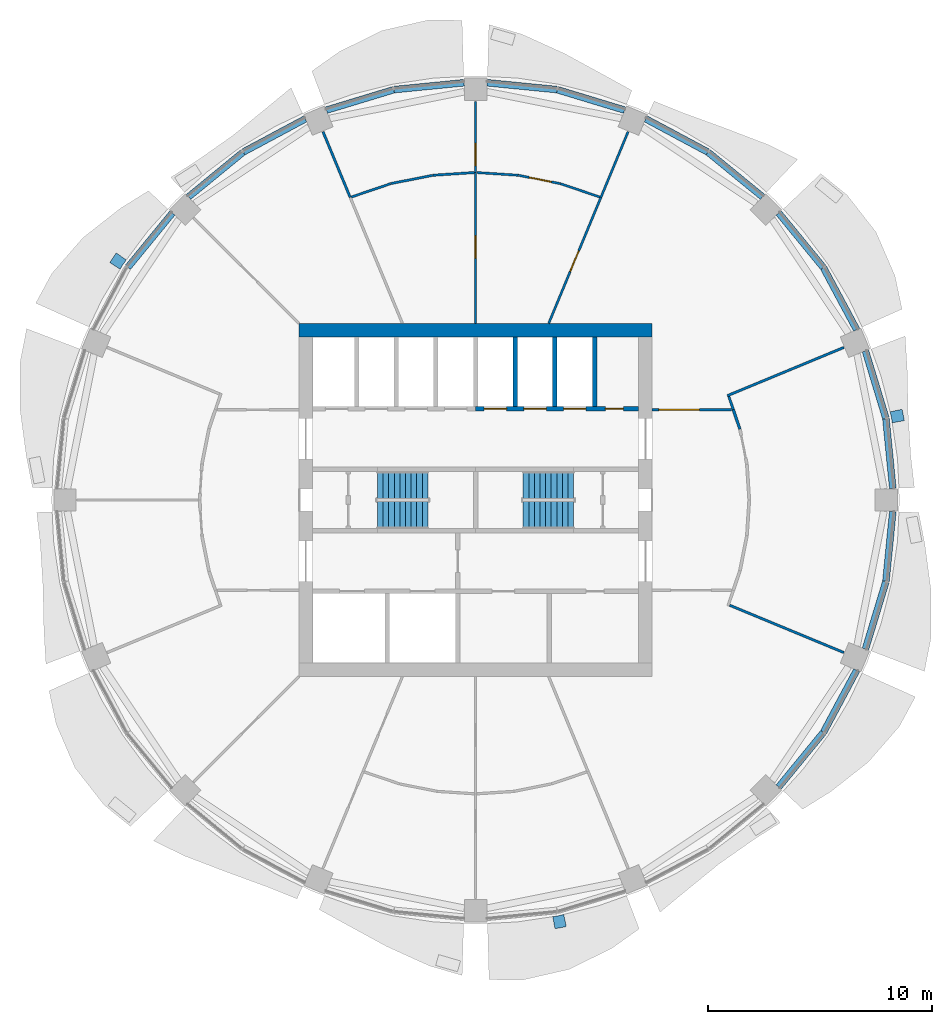
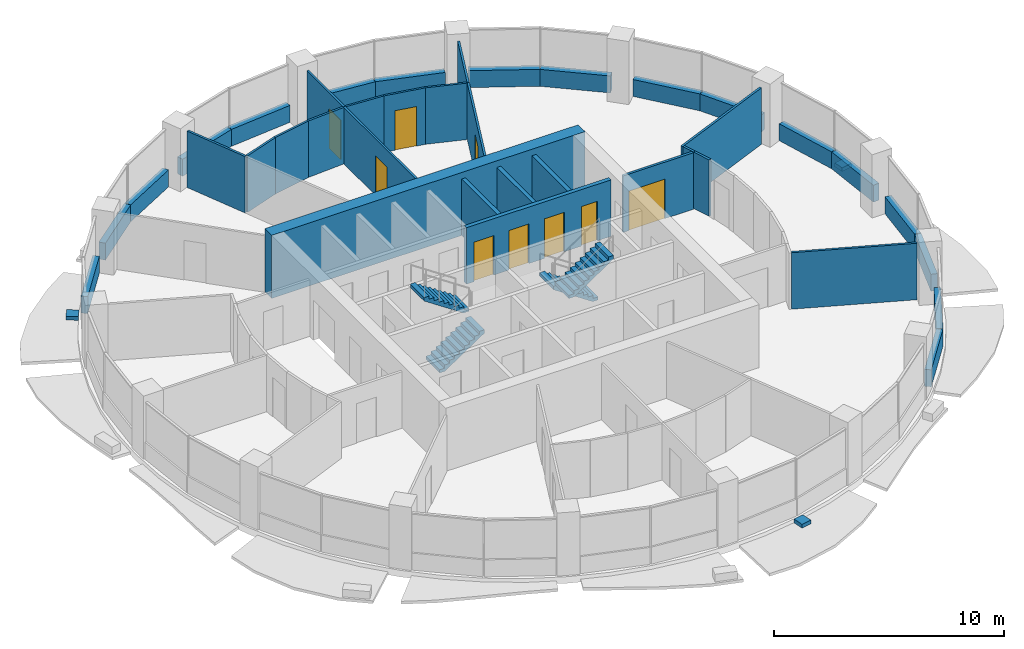
# One storey, part 10 of 14: 38 walls, 9 doors, 4 stair flights, 3 discrete accessories, 9 openings, 2 elements without a shape of their own.
"""IFC4 building model written with IfcOpenShell, lengths in metres."""

import ifcopenshell
import ifcopenshell.guid

model = None  # the IFC model being written
_history = None  # IfcOwnerHistory: only IFC2X3 demands one
_inside = {}  # id of a spatial element -> (the spatial element, [elements in it])
_under = {}  # id of a project, library or spatial element -> (it, [spatial elements below it])
_declared = {}  # id of a project -> (the project, [libraries it declares])
_typed = {}  # id of a type object -> (the type object, [elements of that type])
_made_of = {}  # id of a material, layer set ... -> (it, [elements and type objects made of it])


def new_model(schema):
    """Start an empty IFC model of exactly this schema.

    Asked for "IFC4X3", IfcOpenShell would pick the latest addendum, in which some entities
    have other attributes; the version numbers below select the first issue.
    IFC2X3 requires an IfcOwnerHistory on every rooted entity: one is made here for all.
    """
    global model, _history
    if schema == "IFC4X3":
        model = ifcopenshell.file(schema_version=(4, 3, 0, 0))
    else:
        model = ifcopenshell.file(schema=schema)
    _inside.clear()
    _under.clear()
    _declared.clear()
    _typed.clear()
    _made_of.clear()
    _history = None
    if model.schema == "IFC2X3":
        org = make("IfcOrganization", Name="unknown")
        user = make(
            "IfcPersonAndOrganization",
            ThePerson=make("IfcPerson", FamilyName="unknown"),
            TheOrganization=org,
        )
        app = make(
            "IfcApplication",
            ApplicationDeveloper=org,
            Version="unknown",
            ApplicationFullName="unknown",
            ApplicationIdentifier="unknown",
        )
        _history = make(
            "IfcOwnerHistory",
            OwningUser=user,
            OwningApplication=app,
            ChangeAction="ADDED",
            CreationDate=0,
        )
    return model


def make(cls, **values):
    """One entity of the class cls with the attributes given. An attribute that is None is left unset."""
    return model.create_entity(
        cls, **{name: value for name, value in values.items() if value is not None}
    )


def rooted(cls, **values):
    """An entity with a GlobalId (a new one), such as an element, a storey or a relation."""
    return make(cls, GlobalId=ifcopenshell.guid.new(), OwnerHistory=_history, **values)


def si_unit(unit_type, name, prefix=None):
    """IfcSIUnit, for example si_unit("LENGTHUNIT", "METRE", prefix="MILLI")."""
    return make("IfcSIUnit", UnitType=unit_type, Prefix=prefix, Name=name)


def assignment(units):
    """IfcUnitAssignment: the units of a project."""
    return None if units is None else make("IfcUnitAssignment", Units=units)


def point(xyz):
    """IfcCartesianPoint."""
    return None if xyz is None else make("IfcCartesianPoint", Coordinates=xyz)


def direction(xyz):
    """IfcDirection."""
    return None if xyz is None else make("IfcDirection", DirectionRatios=xyz)


def frame(location, z_axis=None, x_axis=None):
    """IfcAxis2Placement3D, a coordinate frame: its origin and axes. An axis left out is left unset."""
    return make(
        "IfcAxis2Placement3D",
        Location=point(location),
        Axis=direction(z_axis),
        RefDirection=direction(x_axis),
    )


def frame_2d(location, x_axis=None):
    """IfcAxis2Placement2D, a coordinate frame in the plane: its origin and x axis."""
    return make(
        "IfcAxis2Placement2D", Location=point(location), RefDirection=direction(x_axis)
    )


def origin():
    """The frame at (0, 0, 0) with its axes left unset."""
    return frame((0.0, 0.0, 0.0))


def place(relative_to, where):
    """IfcLocalPlacement: puts the frame where relative to a parent placement (None: the world)."""
    return make(
        "IfcLocalPlacement", PlacementRelTo=relative_to, RelativePlacement=where
    )


def context(
    kind, dimensions, precision=None, world=None, true_north=None, identifier=None
):
    """IfcGeometricRepresentationContext, for example the 3D "Model" context."""
    return make(
        "IfcGeometricRepresentationContext",
        ContextIdentifier=identifier,
        ContextType=kind,
        CoordinateSpaceDimension=dimensions,
        Precision=precision,
        WorldCoordinateSystem=world,
        TrueNorth=true_north,
    )


def subcontext(parent, identifier, kind, view, scale=None):
    """IfcGeometricRepresentationSubContext, for example "Body" below "Model"."""
    return make(
        "IfcGeometricRepresentationSubContext",
        ContextIdentifier=identifier,
        ContextType=kind,
        ParentContext=parent,
        TargetScale=scale,
        TargetView=view,
    )


def project(units=None, contexts=None):
    """IfcProject with its units and contexts."""
    return rooted(
        "IfcProject",
        Name="project",
        RepresentationContexts=contexts,
        UnitsInContext=assignment(units),
    )


def spatial(cls, under=None, at=None, **own):
    """A site, building, storey or space (cls), placed at a placement, below another one or the project."""
    s = rooted(cls, ObjectPlacement=at, **own)
    if under is not None:
        _under.setdefault(under.id(), (under, []))[1].append(s)
    return s


def polyline(points):
    """IfcPolyline through the points."""
    return make("IfcPolyline", Points=[point(p) for p in points])


def profile(cls, at=None, kind="AREA", **sizes):
    """A parametric profile (cls). Its sizes go by their IFC names, for example OverallWidth=200.0."""
    return make(cls, ProfileType=kind, Position=at, **sizes)


def rectangle(**sizes):
    """IfcRectangleProfileDef."""
    return profile("IfcRectangleProfileDef", **sizes)


def outline(outer, holes=None, kind="AREA"):
    """IfcArbitraryClosedProfileDef: a profile drawn as a closed curve; with holes, ...WithVoids."""
    if holes is None:
        return make("IfcArbitraryClosedProfileDef", ProfileType=kind, OuterCurve=outer)
    return make(
        "IfcArbitraryProfileDefWithVoids",
        ProfileType=kind,
        OuterCurve=outer,
        InnerCurves=holes,
    )


def extrude(swept, where, along, depth):
    """IfcExtrudedAreaSolid: the profile swept, set in the frame where, extruded along a direction by depth."""
    return make(
        "IfcExtrudedAreaSolid",
        SweptArea=swept,
        Position=where,
        ExtrudedDirection=direction(along),
        Depth=depth,
    )


def shape(context_of_items, identifier, shape_type, items):
    """IfcShapeRepresentation: the items that make up one representation, for example the "Body"."""
    return make(
        "IfcShapeRepresentation",
        ContextOfItems=context_of_items,
        RepresentationIdentifier=identifier,
        RepresentationType=shape_type,
        Items=items,
    )


def material(Name=None, Category=None):
    """IfcMaterial."""
    return make("IfcMaterial", Name=Name, Category=Category)


def layer(
    of_material, thickness, ventilated=None, Name=None, Category=None, Priority=None
):
    """IfcMaterialLayer: one layer of a wall or slab, of a material (None: an air gap)."""
    return make(
        "IfcMaterialLayer",
        Material=of_material,
        LayerThickness=thickness,
        IsVentilated=ventilated,
        Name=Name,
        Category=Category,
        Priority=Priority,
    )


def layer_set(layers, Name=None):
    """IfcMaterialLayerSet."""
    return make("IfcMaterialLayerSet", MaterialLayers=layers, LayerSetName=Name)


def made_of(thing, what):
    """Note that an element or type object is made of a material, layer set ...; save() writes the relation."""
    if what is not None:
        _made_of.setdefault(what.id(), (what, []))[1].append(thing)
    return thing


def type_object(cls, material=None, **own):
    """A type object (cls), such as IfcWallType, which elements share."""
    return made_of(rooted(cls, **own), material)


def element(
    cls,
    number,
    at=None,
    inside=None,
    cuts=None,
    type_object=None,
    material=None,
    context=None,
    identifier="Body",
    shape_type=None,
    held_by="IfcProductDefinitionShape",
    body=None,
    shapes=None,
    **own,
):
    """One element of the class cls, such as IfcWall. Its Tag is "e" and its number.

    at: its placement. inside: the storey or other place that contains it. cuts: it is an
    opening in that element (IfcRelVoidsElement). A single representation is given by context,
    identifier, shape_type and body (its items); several are given by shapes. held_by: the class
    of the entity that holds the representations. save() writes the other relations.
    """
    e = rooted(cls, Tag="e%d" % number, ObjectPlacement=at, **own)
    if body is not None:
        shapes = [shape(context, identifier, shape_type, body)]
    if shapes is not None:
        e.Representation = make(held_by, Representations=shapes)
    if inside is not None:
        _inside.setdefault(inside.id(), (inside, []))[1].append(e)
    if cuts is not None:
        rooted(
            "IfcRelVoidsElement", RelatingBuildingElement=cuts, RelatedOpeningElement=e
        )
    if type_object is not None:
        _typed.setdefault(type_object.id(), (type_object, []))[1].append(e)
    return made_of(e, material)


def fill(opening, filler):
    """IfcRelFillsElement: the door or window that sits in an opening."""
    return rooted(
        "IfcRelFillsElement",
        RelatingOpeningElement=opening,
        RelatedBuildingElement=filler,
    )


def aggregate(whole, parts):
    """IfcRelAggregates: a whole, such as a stair, and the parts it consists of."""
    return rooted("IfcRelAggregates", RelatingObject=whole, RelatedObjects=parts)


def save(model, path):
    """Write the relations noted so far, then the file.

    IfcRelAggregates (storeys below a building ...), IfcRelContainedInSpatialStructure (elements
    in a storey), IfcRelDefinesByType, IfcRelAssociatesMaterial and IfcRelDeclares: one each for
    every whole, place, type object, material and project.
    """
    for whole, parts in _under.values():
        aggregate(whole, parts)
    for where, things in _inside.values():
        rooted(
            "IfcRelContainedInSpatialStructure",
            RelatedElements=things,
            RelatingStructure=where,
        )
    for kind, things in _typed.values():
        rooted("IfcRelDefinesByType", RelatedObjects=things, RelatingType=kind)
    for what, things in _made_of.values():
        rooted("IfcRelAssociatesMaterial", RelatedObjects=things, RelatingMaterial=what)
    for by, libraries in _declared.values():
        rooted("IfcRelDeclares", RelatingContext=by, RelatedDefinitions=libraries)
    model.write(path)


model = new_model("IFC4")

# Units and contexts
model_context = context("Model", 3, precision=1e-05, world=origin(), true_north=direction((0.0, 1.0)))
body_context = subcontext(model_context, "Body", "Model", "MODEL_VIEW")
ifc_project = project(units=[si_unit("LENGTHUNIT", "METRE"), si_unit("AREAUNIT", "SQUARE_METRE"), si_unit("VOLUMEUNIT", "CUBIC_METRE"), si_unit("PLANEANGLEUNIT", "RADIAN"), si_unit("MASSUNIT", "GRAM", prefix="KILO")], contexts=[model_context])

# Site, building, storey
site_placement = place(None, origin())
site = spatial("IfcSite", under=ifc_project, at=site_placement, CompositionType="ELEMENT")
building_placement = place(site_placement, origin())
building = spatial("IfcBuilding", under=site, at=building_placement, Name="Polderwave Tower", CompositionType="ELEMENT")
storey_placement = place(building_placement, frame((0.0, 0.0, 141.050048828125)))
storey = spatial("IfcBuildingStorey", under=building, at=storey_placement, Name="L37", CompositionType="ELEMENT", Elevation=141.050048828125)

# Walls
ifc_material_1 = material(Name="Concrete C60/75", Category="concrete")
ifc_layer_1 = layer(ifc_material_1, 0.60009765625)
ifc_layer_set_1 = layer_set([ifc_layer_1], Name="CORE WALL 600 C60/75")
wall_type_1 = type_object("IfcWallType", Name="CORE WALL 600 C60/75", PredefinedType="SHEAR", material=ifc_layer_set_1)
wall_1_placement = place(storey_placement, frame((-7.8740234375, 7.573974609375, 0.0), z_axis=(0.0, 0.0, 1.0), x_axis=(1.0, 0.0, 0.0)))
element("IfcWall", 1, at=wall_1_placement, inside=storey, type_object=wall_type_1, Name="ST-CORE-L37-N", PredefinedType="SHEAR", context=body_context, shape_type="SweptSolid", body=[
    extrude(rectangle(XDim=15.748046875, YDim=0.60009765625, at=frame_2d((7.8740234375, 0.0))), origin(), (0.0, 0.0, 1.0), 3.349853515625),
])
ifc_material_2 = material(Name="Concrete C50/60 (board-marked)", Category="concrete")
ifc_layer_2 = layer(ifc_material_2, 0.300048828125)
ifc_layer_set_2 = layer_set([ifc_layer_2], Name="Concrete spandrel upstand C50/60")
wall_type_2 = type_object("IfcWallType", Name="Concrete spandrel upstand C50/60", PredefinedType="SOLIDWALL", material=ifc_layer_set_2)
wall_2_placement = place(storey_placement, frame((18.599609375, 0.513916015625, 0.0), z_axis=(0.0, 0.0, 1.0), x_axis=(-0.097994848851, 0.995186921939, 0.0)))
element("IfcWall", 2, at=wall_2_placement, inside=storey, type_object=wall_type_2, Name="Spandrel L37 1a", PredefinedType="SOLIDWALL", context=body_context, shape_type="SweptSolid", body=[
    extrude(rectangle(XDim=3.124267578125, YDim=0.300048828125, at=frame_2d((1.56201171875, 0.0))), origin(), (0.0, 0.0, 1.0), 0.89990234375),
])
for number, where, z_axis, x_axis, name in (
    (3, (18.28759765625, 3.65234375, 0.0), (0.0, 0.0, 1.0), (-0.290614442714, 0.95684024042, 0.0), "Spandrel L37 1b"),
    (4, (16.98681640625, 7.59228515625, 0.0), (0.0, 0.0, 1.0), (-0.471577373746, 0.881824688116, 0.0), "Spandrel L37 2a"),
    (5, (15.49658203125, 10.37255859375, 0.0), (0.0, 0.0, 1.0), (-0.633977746593, 0.773351289405, 0.0), "Spandrel L37 2b"),
    (6, (12.789306640625, 13.515380859375, 0.0), (0.0, 0.0, 1.0), (-0.773351289405, 0.633977746593, 0.0), "Spandrel L37 3a"),
    (7, (10.347900390625, 15.51318359375, 0.0), (0.0, 0.0, 1.0), (-0.881824688116, 0.471577373746, 0.0), "Spandrel L37 3b"),
    (8, (6.642578125, 17.37939453125, 0.0), (0.0, 0.0, 1.0), (-0.95684024042, 0.290614442714, 0.0), "Spandrel L37 4a"),
):
    element("IfcWall", number, at=place(storey_placement, frame(where, z_axis=z_axis, x_axis=x_axis)), inside=storey, type_object=wall_type_2, Name=name, PredefinedType="SOLIDWALL", context=body_context, shape_type="SweptSolid", body=[
        extrude(rectangle(XDim=3.125, YDim=0.300048828125, at=frame_2d((1.5625, 0.0))), origin(), (0.0, 0.0, 1.0), 0.89990234375),
    ])
for number, where, z_axis, x_axis, name in (
    (9, (3.623046875, 18.29345703125, 0.0), (0.0, 0.0, 1.0), (-0.995186921939, 0.097994848851, 0.0), "Spandrel L37 4b"),
    (10, (-0.513916015625, 18.599609375, 0.0), (0.0, 0.0, 1.0), (-0.995186921939, -0.097994848851, 0.0), "Spandrel L37 5a"),
):
    element("IfcWall", number, at=place(storey_placement, frame(where, z_axis=z_axis, x_axis=x_axis)), inside=storey, type_object=wall_type_2, Name=name, PredefinedType="SOLIDWALL", context=body_context, shape_type="SweptSolid", body=[
        extrude(rectangle(XDim=3.124267578125, YDim=0.300048828125, at=frame_2d((1.56201171875, 0.0))), origin(), (0.0, 0.0, 1.0), 0.89990234375),
    ])
for number, where, z_axis, x_axis, name in (
    (11, (-3.65234375, 18.28759765625, 0.0), (0.0, 0.0, 1.0), (-0.95684024042, -0.290614442714, 0.0), "Spandrel L37 5b"),
    (12, (-7.59228515625, 16.98681640625, 0.0), (0.0, 0.0, 1.0), (-0.881824688116, -0.471577373746, 0.0), "Spandrel L37 6a"),
    (13, (-10.37255859375, 15.49658203125, 0.0), (0.0, 0.0, 1.0), (-0.773351289405, -0.633977746593, 0.0), "Spandrel L37 6b"),
    (14, (-13.515380859375, 12.789306640625, 0.0), (0.0, 0.0, 1.0), (-0.633977746593, -0.773351289405, 0.0), "Spandrel L37 7a"),
    (15, (13.515380859375, -12.789306640625, 0.0), (0.0, 0.0, 1.0), (0.633977746593, 0.773351289405, 0.0), "Spandrel L37 15a"),
    (16, (15.51318359375, -10.347900390625, 0.0), (0.0, 0.0, 1.0), (0.471577373746, 0.881824688116, 0.0), "Spandrel L37 15b"),
    (17, (17.37939453125, -6.642578125, 0.0), (0.0, 0.0, 1.0), (0.290614442714, 0.95684024042, 0.0), "Spandrel L37 16a"),
):
    element("IfcWall", number, at=place(storey_placement, frame(where, z_axis=z_axis, x_axis=x_axis)), inside=storey, type_object=wall_type_2, Name=name, PredefinedType="SOLIDWALL", context=body_context, shape_type="SweptSolid", body=[
        extrude(rectangle(XDim=3.125, YDim=0.300048828125, at=frame_2d((1.5625, 0.0))), origin(), (0.0, 0.0, 1.0), 0.89990234375),
    ])
wall_3_placement = place(storey_placement, frame((18.29345703125, -3.623046875, 0.0), z_axis=(0.0, 0.0, 1.0), x_axis=(0.097994848851, 0.995186921939, 0.0)))
element("IfcWall", 18, at=wall_3_placement, inside=storey, type_object=wall_type_2, Name="Spandrel L37 16b", PredefinedType="SOLIDWALL", context=body_context, shape_type="SweptSolid", body=[
    extrude(rectangle(XDim=3.124267578125, YDim=0.300048828125, at=frame_2d((1.56201171875, 0.0))), origin(), (0.0, 0.0, 1.0), 0.89990234375),
])

# Wall, openings, doors
ifc_material_3 = material(Name="Concrete C50/60", Category="concrete")
ifc_layer_3 = layer(ifc_material_3, 0.199951171875)
ifc_layer_set_3 = layer_set([ifc_layer_3], Name="Core web wall 200")
wall_type_3 = type_object("IfcWallType", Name="Core web wall 200", PredefinedType="SHEAR", material=ifc_layer_set_3)
wall_4_placement = place(storey_placement, frame((0.0, 4.073974609375, 0.0), z_axis=(0.0, 0.0, 1.0), x_axis=(1.0, 0.0, 0.0)))
wall_4 = element("IfcWall", 19, at=wall_4_placement, inside=storey, type_object=wall_type_3, Name="L37 north front wall 2", PredefinedType="SHEAR", context=body_context, shape_type="SweptSolid", body=[
    extrude(rectangle(XDim=7.27392578125, YDim=0.199951171875, at=frame_2d((3.636962890625, 0.0))), origin(), (0.0, 0.0, 1.0), 3.0),
])
opening_1_placement = place(wall_4_placement, frame((0.38427734375, 0.0, 0.0)))
opening_1 = element("IfcOpeningElement", 20, at=opening_1_placement, cuts=wall_4, Name="Opening L37-D07", PredefinedType="OPENING", context=body_context, shape_type="SweptSolid", body=[
    extrude(rectangle(XDim=1.0, YDim=2.10009765625, at=frame_2d((0.5, 1.050048828125))), frame((0.0, 0.10986328125, 0.0), z_axis=(0.0, -1.0, 0.0), x_axis=(1.0, 0.0, 0.0)), (0.0, 0.0, 1.0), 0.219970703125),
])
opening_2_placement = place(wall_4_placement, frame((2.15283203125, 0.0, 0.0)))
opening_2 = element("IfcOpeningElement", 21, at=opening_2_placement, cuts=wall_4, Name="Opening L37-D08", PredefinedType="OPENING", context=body_context, shape_type="SweptSolid", body=[
    extrude(rectangle(XDim=1.0, YDim=2.10009765625, at=frame_2d((0.5, 1.050048828125))), frame((0.0, 0.10986328125, 0.0), z_axis=(0.0, -1.0, 0.0), x_axis=(1.0, 0.0, 0.0)), (0.0, 0.0, 1.0), 0.219970703125),
])
opening_3_placement = place(wall_4_placement, frame((3.921142578125, 0.0, 0.0)))
opening_3 = element("IfcOpeningElement", 22, at=opening_3_placement, cuts=wall_4, Name="Opening L37-D09", PredefinedType="OPENING", context=body_context, shape_type="SweptSolid", body=[
    extrude(rectangle(XDim=1.0, YDim=2.10009765625, at=frame_2d((0.5, 1.050048828125))), frame((0.0, 0.10986328125, 0.0), z_axis=(0.0, -1.0, 0.0), x_axis=(1.0, 0.0, 0.0)), (0.0, 0.0, 1.0), 0.219970703125),
])
opening_4_placement = place(wall_4_placement, frame((5.789794921875, 0.0, 0.0)))
opening_4 = element("IfcOpeningElement", 23, at=opening_4_placement, cuts=wall_4, Name="Opening L37-D17", PredefinedType="OPENING", context=body_context, shape_type="SweptSolid", body=[
    extrude(rectangle(XDim=0.800048828125, YDim=2.10009765625, at=frame_2d((0.39990234375, 1.050048828125))), frame((0.0, 0.10986328125, 0.0), z_axis=(0.0, -1.0, 0.0), x_axis=(1.0, 0.0, 0.0)), (0.0, 0.0, 1.0), 0.219970703125),
])
ifc_material_4 = material(Name="Stainless steel", Category="steel")
door_type_1 = type_object("IfcDoorType", Name="Lift landing door 1000", OperationType="DOUBLE_DOOR_SLIDING", PredefinedType="DOOR", material=ifc_material_4)
door_1_placement = place(opening_1_placement, frame((1.0, 0.0, 0.0), z_axis=(0.0, 0.0, 1.0), x_axis=(-1.0, 0.0, 0.0)))
door_1 = element("IfcDoor", 24, at=door_1_placement, inside=storey, type_object=door_type_1, Name="Lift HL5 landing door", OperationType="DOUBLE_DOOR_SLIDING", OverallHeight=2.10009765625, OverallWidth=1.0, PredefinedType="DOOR", context=body_context, shape_type="SweptSolid", body=[
    extrude(rectangle(XDim=1.0, YDim=2.10009765625, at=frame_2d((0.5, 1.050048828125))), frame((0.0, 0.02490234375, 0.0), z_axis=(0.0, -1.0, 0.0), x_axis=(1.0, 0.0, 0.0)), (0.0, 0.0, 1.0), 0.050048828125),
])
fill(opening_1, door_1)
door_2_placement = place(opening_2_placement, frame((1.0, 0.0, 0.0), z_axis=(0.0, 0.0, 1.0), x_axis=(-1.0, 0.0, 0.0)))
door_2 = element("IfcDoor", 25, at=door_2_placement, inside=storey, type_object=door_type_1, Name="Lift HL6 landing door", OperationType="DOUBLE_DOOR_SLIDING", OverallHeight=2.10009765625, OverallWidth=1.0, PredefinedType="DOOR", context=body_context, shape_type="SweptSolid", body=[
    extrude(rectangle(XDim=1.0, YDim=2.10009765625, at=frame_2d((0.5, 1.050048828125))), frame((0.0, 0.02490234375, 0.0), z_axis=(0.0, -1.0, 0.0), x_axis=(1.0, 0.0, 0.0)), (0.0, 0.0, 1.0), 0.050048828125),
])
fill(opening_2, door_2)
door_3_placement = place(opening_3_placement, frame((1.0, 0.0, 0.0), z_axis=(0.0, 0.0, 1.0), x_axis=(-1.0, 0.0, 0.0)))
door_3 = element("IfcDoor", 26, at=door_3_placement, inside=storey, type_object=door_type_1, Name="Lift HL7 landing door", OperationType="DOUBLE_DOOR_SLIDING", OverallHeight=2.10009765625, OverallWidth=1.0, PredefinedType="DOOR", context=body_context, shape_type="SweptSolid", body=[
    extrude(rectangle(XDim=1.0, YDim=2.10009765625, at=frame_2d((0.5, 1.050048828125))), frame((0.0, 0.02490234375, 0.0), z_axis=(0.0, -1.0, 0.0), x_axis=(1.0, 0.0, 0.0)), (0.0, 0.0, 1.0), 0.050048828125),
])
fill(opening_3, door_3)
ifc_material_5 = material(Name="Steel fire door", Category="steel")
door_type_2 = type_object("IfcDoorType", Name="Riser door 800", OperationType="NOTDEFINED", PredefinedType="DOOR", material=ifc_material_5)
door_4_placement = place(opening_4_placement, frame((0.800048828125, 0.0, 0.0), z_axis=(0.0, 0.0, 1.0), x_axis=(-1.0, 0.0, 0.0)))
door_4 = element("IfcDoor", 27, at=door_4_placement, inside=storey, type_object=door_type_2, Name="Riser door", OperationType="SINGLE_SWING_LEFT", OverallHeight=2.10009765625, OverallWidth=0.800048828125, PredefinedType="DOOR", context=body_context, shape_type="SweptSolid", body=[
    extrude(rectangle(XDim=0.800048828125, YDim=2.10009765625, at=frame_2d((0.39990234375, 1.050048828125))), frame((0.0, 0.02490234375, 0.0), z_axis=(0.0, -1.0, 0.0), x_axis=(1.0, 0.0, 0.0)), (0.0, 0.0, 1.0), 0.050048828125),
])
fill(opening_4, door_4)

# Wall
ifc_material_6 = material(Name="Fire-resisting board on steel studs", Category="steel")
ifc_layer_4 = layer(ifc_material_6, 0.125)
ifc_layer_set_4 = layer_set([ifc_layer_4], Name="Corridor wall 125 mm EI 60")
wall_type_4 = type_object("IfcWallType", Name="Corridor wall 125 mm EI 60", PredefinedType="PARTITIONING", material=ifc_layer_set_4)
wall_5_placement = place(storey_placement, frame((11.489990234375, 4.0244140625, 0.0), z_axis=(0.0, 0.0, 1.0), x_axis=(0.321528033916, -0.946900059883, 0.0)))
element("IfcWall", 28, at=wall_5_placement, inside=storey, type_object=wall_type_4, Name="IN-L37-W001", PredefinedType="PARTITIONING", context=body_context, shape_type="SweptSolid", body=[
    extrude(rectangle(XDim=0.9111328125, YDim=0.125, at=frame_2d((0.45556640625, 0.0))), origin(), (0.0, 0.0, 1.0), 3.0),
])

# Wall, opening, door
wall_6_placement = place(storey_placement, frame((7.8740234375, 4.0244140625, 0.0), z_axis=(0.0, 0.0, 1.0), x_axis=(1.0, 0.0, 0.0)))
wall_6 = element("IfcWall", 29, at=wall_6_placement, inside=storey, type_object=wall_type_4, Name="IN-L37-W007", PredefinedType="PARTITIONING", context=body_context, shape_type="SweptSolid", body=[
    extrude(rectangle(XDim=3.52880859375, YDim=0.125, at=frame_2d((1.764404296875, 0.0))), origin(), (0.0, 0.0, 1.0), 3.0),
])
opening_5_placement = place(wall_6_placement, frame((0.300048828125, 0.0, 0.0)))
opening_5 = element("IfcOpeningElement", 30, at=opening_5_placement, cuts=wall_6, Name="Opening L37-D51", PredefinedType="OPENING", context=body_context, shape_type="SweptSolid", body=[
    extrude(rectangle(XDim=1.800048828125, YDim=2.10009765625, at=frame_2d((0.89990234375, 1.050048828125))), frame((0.0, 0.072509765625, 0.0), z_axis=(0.0, -1.0, 0.0), x_axis=(1.0, 0.0, 0.0)), (0.0, 0.0, 1.0), 0.14501953125),
])
ifc_material_7 = material(Name="Timber fire door leaves", Category="wood")
door_type_3 = type_object("IfcDoorType", Name="Double fire door FD30S 1800 x 2100", OperationType="NOTDEFINED", PredefinedType="DOOR", material=ifc_material_7)
door_5_placement = place(opening_5_placement, origin())
door_5 = element("IfcDoor", 31, at=door_5_placement, inside=storey, type_object=door_type_3, Name="Door L37-D51", OperationType="DOUBLE_DOOR_SINGLE_SWING", OverallHeight=2.10009765625, OverallWidth=1.800048828125, PredefinedType="DOOR", context=body_context, shape_type="SweptSolid", body=[
    extrude(rectangle(XDim=1.800048828125, YDim=2.10009765625, at=frame_2d((0.89990234375, 1.050048828125))), frame((0.0, 0.02490234375, 0.0), z_axis=(0.0, -1.0, 0.0), x_axis=(1.0, 0.0, 0.0)), (0.0, 0.0, 1.0), 0.050048828125),
])
fill(opening_5, door_5)

ifc_material_8 = material(Name="Plasterboard on steel studs", Category="steel")
ifc_layer_5 = layer(ifc_material_8, 0.10009765625)
ifc_layer_set_5 = layer_set([ifc_layer_5], Name="Partition 100 mm plasterboard on steel studs")
wall_type_5 = type_object("IfcWallType", Name="Partition 100 mm plasterboard on steel studs", PredefinedType="PARTITIONING", material=ifc_layer_set_5)
wall_7_placement = place(storey_placement, frame((3.261474609375, 7.8740234375, 0.0), z_axis=(0.0, 0.0, 1.0), x_axis=(0.382694772383, 0.92387483524, 0.0)))
wall_7 = element("IfcWall", 32, at=wall_7_placement, inside=storey, type_object=wall_type_5, Name="IN-L37-W021", PredefinedType="PARTITIONING", context=body_context, shape_type="SweptSolid", body=[
    extrude(rectangle(XDim=6.0771484375, YDim=0.10009765625, at=frame_2d((3.03857421875, 0.0))), origin(), (0.0, 0.0, 1.0), 3.0),
])
opening_6_placement = place(wall_7_placement, frame((2.5, 0.0, 0.0)))
opening_6 = element("IfcOpeningElement", 33, at=opening_6_placement, cuts=wall_7, Name="Opening L37-D57", PredefinedType="OPENING", context=body_context, shape_type="SweptSolid", body=[
    extrude(rectangle(XDim=1.0, YDim=2.10009765625, at=frame_2d((0.5, 1.050048828125))), frame((0.0, 0.06005859375, 0.0), z_axis=(0.0, -1.0, 0.0), x_axis=(1.0, 0.0, 0.0)), (0.0, 0.0, 1.0), 0.1201171875),
])
ifc_material_9 = material(Name="Timber veneer door leaf", Category="wood")
door_type_4 = type_object("IfcDoorType", Name="Single door 1000 x 2100", OperationType="NOTDEFINED", PredefinedType="DOOR", material=ifc_material_9)
door_6_placement = place(opening_6_placement, origin())
door_6 = element("IfcDoor", 34, at=door_6_placement, inside=storey, type_object=door_type_4, Name="Door L37-D57", OperationType="SINGLE_SWING_LEFT", OverallHeight=2.10009765625, OverallWidth=1.0, PredefinedType="DOOR", context=body_context, shape_type="SweptSolid", body=[
    extrude(rectangle(XDim=1.0, YDim=2.10009765625, at=frame_2d((0.5, 1.050048828125))), frame((0.0, 0.02490234375, 0.0), z_axis=(0.0, -1.0, 0.0), x_axis=(1.0, 0.0, 0.0)), (0.0, 0.0, 1.0), 0.050048828125),
])
fill(opening_6, door_6)

# Walls
wall_8_placement = place(storey_placement, frame((5.587158203125, 13.488525390625, 0.0), z_axis=(0.0, 0.0, 1.0), x_axis=(0.382689618566, 0.923876970079, 0.0)))
element("IfcWall", 35, at=wall_8_placement, inside=storey, type_object=wall_type_5, Name="IN-L37-W022", PredefinedType="PARTITIONING", context=body_context, shape_type="SweptSolid", body=[
    extrude(rectangle(XDim=3.169921875, YDim=0.10009765625, at=frame_2d((1.5849609375, 0.0))), origin(), (0.0, 0.0, 1.0), 3.0),
])
wall_9_placement = place(storey_placement, frame((0.055908203125, 14.59619140625, 0.0), z_axis=(0.0, 0.0, 1.0), x_axis=(0.99786499138, -0.065310481387, 0.0)))
element("IfcWall", 36, at=wall_9_placement, inside=storey, type_object=wall_type_5, Name="IN-L37-W023", PredefinedType="PARTITIONING", context=body_context, shape_type="SweptSolid", body=[
    extrude(rectangle(XDim=1.850341796875, YDim=0.10009765625, at=frame_2d((0.92529296875, 0.0))), origin(), (0.0, 0.0, 1.0), 3.0),
])

# Wall, opening, door
wall_10_placement = place(storey_placement, frame((1.908935546875, 14.474609375, 0.0), z_axis=(0.0, 0.0, 1.0), x_axis=(0.980757879189, -0.195228026697, 0.0)))
wall_10 = element("IfcWall", 37, at=wall_10_placement, inside=storey, type_object=wall_type_5, Name="IN-L37-W024", PredefinedType="PARTITIONING", context=body_context, shape_type="SweptSolid", body=[
    extrude(rectangle(XDim=1.9033203125, YDim=0.10009765625, at=frame_2d((0.95166015625, 0.0))), origin(), (0.0, 0.0, 1.0), 3.0),
])
opening_7_placement = place(wall_10_placement, frame((0.5, 0.0, 0.0)))
opening_7 = element("IfcOpeningElement", 38, at=opening_7_placement, cuts=wall_10, Name="Opening L37-D58", PredefinedType="OPENING", context=body_context, shape_type="SweptSolid", body=[
    extrude(rectangle(XDim=1.0, YDim=2.10009765625, at=frame_2d((0.5, 1.050048828125))), frame((0.0, 0.06005859375, 0.0), z_axis=(0.0, -1.0, 0.0), x_axis=(1.0, 0.0, 0.0)), (0.0, 0.0, 1.0), 0.1201171875),
])
door_7_placement = place(opening_7_placement, origin())
door_7 = element("IfcDoor", 39, at=door_7_placement, inside=storey, type_object=door_type_4, Name="Door L37-D58", OperationType="SINGLE_SWING_RIGHT", OverallHeight=2.10009765625, OverallWidth=1.0, PredefinedType="DOOR", context=body_context, shape_type="SweptSolid", body=[
    extrude(rectangle(XDim=1.0, YDim=2.10009765625, at=frame_2d((0.5, 1.050048828125))), frame((0.0, 0.02490234375, 0.0), z_axis=(0.0, -1.0, 0.0), x_axis=(1.0, 0.0, 0.0)), (0.0, 0.0, 1.0), 0.050048828125),
])
fill(opening_7, door_7)

# Wall
wall_11_placement = place(storey_placement, frame((3.781982421875, 14.101318359375, 0.0), z_axis=(0.0, 0.0, 1.0), x_axis=(0.94695650577, -0.321361752828, 0.0)))
element("IfcWall", 40, at=wall_11_placement, inside=storey, type_object=wall_type_5, Name="IN-L37-W025", PredefinedType="PARTITIONING", context=body_context, shape_type="SweptSolid", body=[
    extrude(rectangle(XDim=1.85302734375, YDim=0.10009765625, at=frame_2d((0.926513671875, 0.0))), origin(), (0.0, 0.0, 1.0), 3.0),
])

# Wall, opening, door
wall_12_placement = place(storey_placement, frame((0.0, 14.60009765625, 0.0), z_axis=(0.0, 0.0, 1.0), x_axis=(0.0, 1.0, 0.0)))
wall_12 = element("IfcWall", 41, at=wall_12_placement, inside=storey, type_object=wall_type_5, Name="IN-L37-W027", PredefinedType="PARTITIONING", context=body_context, shape_type="SweptSolid", body=[
    extrude(rectangle(XDim=3.169921875, YDim=0.10009765625, at=frame_2d((1.5849609375, 0.0))), origin(), (0.0, 0.0, 1.0), 3.0),
])
opening_8_placement = place(wall_12_placement, frame((0.300048828125, 0.0, 0.0)))
opening_8 = element("IfcOpeningElement", 42, at=opening_8_placement, cuts=wall_12, Name="Opening L37-D60", PredefinedType="OPENING", context=body_context, shape_type="SweptSolid", body=[
    extrude(rectangle(XDim=1.0, YDim=2.10009765625, at=frame_2d((0.5, 1.050048828125))), frame((0.0, 0.06005859375, 0.0), z_axis=(0.0, -1.0, 0.0), x_axis=(1.0, 0.0, 0.0)), (0.0, 0.0, 1.0), 0.1201171875),
])
door_8_placement = place(opening_8_placement, origin())
door_8 = element("IfcDoor", 43, at=door_8_placement, inside=storey, type_object=door_type_4, Name="Door L37-D60", OperationType="SINGLE_SWING_LEFT", OverallHeight=2.10009765625, OverallWidth=1.0, PredefinedType="DOOR", context=body_context, shape_type="SweptSolid", body=[
    extrude(rectangle(XDim=1.0, YDim=2.10009765625, at=frame_2d((0.5, 1.050048828125))), frame((0.0, 0.02490234375, 0.0), z_axis=(0.0, -1.0, 0.0), x_axis=(1.0, 0.0, 0.0)), (0.0, 0.0, 1.0), 0.050048828125),
])
fill(opening_8, door_8)

ifc_material_10 = material(Name="Moisture-resistant board on steel studs, tiled", Category="steel")
ifc_layer_6 = layer(ifc_material_10, 0.10498046875)
ifc_layer_set_6 = layer_set([ifc_layer_6], Name="Partition 105 mm wet room board and tile")
wall_type_6 = type_object("IfcWallType", Name="Partition 105 mm wet room board and tile", PredefinedType="PARTITIONING", material=ifc_layer_set_6)
wall_13_placement = place(storey_placement, frame((0.0, 7.8740234375, 0.0), z_axis=(0.0, 0.0, 1.0), x_axis=(0.0, 1.0, 0.0)))
wall_13 = element("IfcWall", 44, at=wall_13_placement, inside=storey, type_object=wall_type_6, Name="IN-L37-W026", PredefinedType="PARTITIONING", context=body_context, shape_type="SweptSolid", body=[
    extrude(rectangle(XDim=6.72607421875, YDim=0.10498046875, at=frame_2d((3.363037109375, 0.0))), origin(), (0.0, 0.0, 1.0), 3.0),
])
opening_9_placement = place(wall_13_placement, frame((2.89990234375, 0.0, 0.0)))
opening_9 = element("IfcOpeningElement", 45, at=opening_9_placement, cuts=wall_13, Name="Opening L37-D59", PredefinedType="OPENING", context=body_context, shape_type="SweptSolid", body=[
    extrude(rectangle(XDim=1.0, YDim=2.10009765625, at=frame_2d((0.5, 1.050048828125))), frame((0.0, 0.0625, 0.0), z_axis=(0.0, -1.0, 0.0), x_axis=(1.0, 0.0, 0.0)), (0.0, 0.0, 1.0), 0.125),
])
door_9_placement = place(opening_9_placement, origin())
door_9 = element("IfcDoor", 46, at=door_9_placement, inside=storey, type_object=door_type_4, Name="Door L37-D59", OperationType="SINGLE_SWING_RIGHT", OverallHeight=2.10009765625, OverallWidth=1.0, PredefinedType="DOOR", context=body_context, shape_type="SweptSolid", body=[
    extrude(rectangle(XDim=1.0, YDim=2.10009765625, at=frame_2d((0.5, 1.050048828125))), frame((0.0, 0.02490234375, 0.0), z_axis=(0.0, -1.0, 0.0), x_axis=(1.0, 0.0, 0.0)), (0.0, 0.0, 1.0), 0.050048828125),
])
fill(opening_9, door_9)

# Walls
wall_14_placement = place(storey_placement, frame((-5.53173828125, 13.50732421875, 0.0), z_axis=(0.0, 0.0, 1.0), x_axis=(0.946924847976, 0.321455023737, 0.0)))
element("IfcWall", 47, at=wall_14_placement, inside=storey, type_object=wall_type_6, Name="IN-L37-W028", PredefinedType="PARTITIONING", context=body_context, shape_type="SweptSolid", body=[
    extrude(rectangle(XDim=1.847900390625, YDim=0.10498046875, at=frame_2d((0.923828125, 0.0))), origin(), (0.0, 0.0, 1.0), 3.0),
])
wall_15_placement = place(storey_placement, frame((-3.775390625, 14.103271484375, 0.0), z_axis=(0.0, 0.0, 1.0), x_axis=(0.980797213672, 0.19503031983, 0.0)))
element("IfcWall", 48, at=wall_15_placement, inside=storey, type_object=wall_type_6, Name="IN-L37-W029", PredefinedType="PARTITIONING", context=body_context, shape_type="SweptSolid", body=[
    extrude(rectangle(XDim=1.90283203125, YDim=0.10498046875, at=frame_2d((0.951416015625, 0.0))), origin(), (0.0, 0.0, 1.0), 3.0),
])
wall_16_placement = place(storey_placement, frame((-1.90234375, 14.475341796875, 0.0), z_axis=(0.0, 0.0, 1.0), x_axis=(0.99786499138, 0.065310481387, 0.0)))
element("IfcWall", 49, at=wall_16_placement, inside=storey, type_object=wall_type_6, Name="IN-L37-W030", PredefinedType="PARTITIONING", context=body_context, shape_type="SweptSolid", body=[
    extrude(rectangle(XDim=1.850341796875, YDim=0.10498046875, at=frame_2d((0.92529296875, 0.0))), origin(), (0.0, 0.0, 1.0), 3.0),
])
ifc_material_11 = material(Name="Acoustic double plasterboard on steel studs", Category="steel")
ifc_layer_7 = layer(ifc_material_11, 0.110107421875)
ifc_layer_set_7 = layer_set([ifc_layer_7], Name="Partition 110 mm acoustic double board")
wall_type_7 = type_object("IfcWallType", Name="Partition 110 mm acoustic double board", PredefinedType="PARTITIONING", material=ifc_layer_set_7)
wall_17_placement = place(storey_placement, frame((11.220458984375, 4.647705078125, 0.0), z_axis=(0.0, 0.0, 1.0), x_axis=(0.923878763535, 0.382685288833, 0.0)))
element("IfcWall", 50, at=wall_17_placement, inside=storey, type_object=wall_type_7, Name="IN-L37-W017", PredefinedType="PARTITIONING", context=body_context, shape_type="SweptSolid", body=[
    extrude(rectangle(XDim=5.625, YDim=0.110107421875, at=frame_2d((2.8125, 0.0))), origin(), (0.0, 0.0, 1.0), 3.0),
])
wall_18_placement = place(storey_placement, frame((11.489990234375, 4.0244140625, 0.0), z_axis=(0.0, 0.0, 1.0), x_axis=(-0.321290054949, 0.946980834331, 0.0)))
element("IfcWall", 51, at=wall_18_placement, inside=storey, type_object=wall_type_7, Name="IN-L37-W018", PredefinedType="PARTITIONING", context=body_context, shape_type="SweptSolid", body=[
    extrude(rectangle(XDim=0.62158203125, YDim=0.110107421875, at=frame_2d((0.310791015625, 0.0))), origin(), (0.0, 0.0, 1.0), 3.0),
])
wall_19_placement = place(storey_placement, frame((16.417236328125, -6.80029296875, 0.0), z_axis=(0.0, 0.0, 1.0), x_axis=(-0.923870508307, 0.382705217994, 0.0)))
element("IfcWall", 52, at=wall_19_placement, inside=storey, type_object=wall_type_7, Name="IN-L37-W020", PredefinedType="PARTITIONING", context=body_context, shape_type="SweptSolid", body=[
    extrude(rectangle(XDim=5.51123046875, YDim=0.110107421875, at=frame_2d((2.755615234375, 0.0))), origin(), (0.0, 0.0, 1.0), 3.0),
])
wall_20_placement = place(storey_placement, frame((-5.587158203125, 13.488525390625, 0.0), z_axis=(0.0, 0.0, 1.0), x_axis=(-0.382689618566, 0.923876970079, 0.0)))
element("IfcWall", 53, at=wall_20_placement, inside=storey, type_object=wall_type_7, Name="IN-L37-W032", PredefinedType="PARTITIONING", context=body_context, shape_type="SweptSolid", body=[
    extrude(rectangle(XDim=3.169921875, YDim=0.110107421875, at=frame_2d((1.5849609375, 0.0))), origin(), (0.0, 0.0, 1.0), 3.0),
])
ifc_material_12 = material(Name="Gypsum shaft wall system")
ifc_layer_8 = layer(ifc_material_12, 0.199951171875)
ifc_layer_set_8 = layer_set([ifc_layer_8], Name="Shaft wall 200")
wall_type_8 = type_object("IfcWallType", Name="Shaft wall 200", PredefinedType="PARTITIONING", material=ifc_layer_set_8)
for number, where, z_axis, x_axis, name in (
    (54, (1.7685546875, 4.174072265625, 0.0), (0.0, 0.0, 1.0), (0.0, 1.0, 0.0), "L37 lift shaft wall N5"),
    (55, (3.537109375, 4.174072265625, 0.0), (0.0, 0.0, 1.0), (0.0, 1.0, 0.0), "L37 lift shaft wall N6"),
    (56, (5.305419921875, 4.174072265625, 0.0), (0.0, 0.0, 1.0), (0.0, 1.0, 0.0), "L37 lift shaft wall N7"),
):
    element("IfcWall", number, at=place(storey_placement, frame(where, z_axis=z_axis, x_axis=x_axis)), inside=storey, type_object=wall_type_8, Name=name, PredefinedType="PARTITIONING", context=body_context, shape_type="SweptSolid", body=[
        extrude(rectangle(XDim=3.099853515625, YDim=0.199951171875, at=frame_2d((1.5498046875, 0.0))), origin(), (0.0, 0.0, 1.0), 3.0),
    ])

# Stair, stair flights
ifc_material_13 = material(Name="Concrete C40/50", Category="concrete")
stair_type = type_object("IfcStairType", Name="Exit stair 1200 x 20 risers", PredefinedType="HALF_TURN_STAIR", material=ifc_material_13)
stair_1_placement = place(storey_placement, origin())
stair_1 = element("IfcStair", 57, at=stair_1_placement, inside=storey, type_object=stair_type, Name="L37 Exit stair A", PredefinedType="HALF_TURN_STAIR")
stair_flight_type = type_object("IfcStairFlightType", Name="Stair flight 1200", PredefinedType="STRAIGHT", material=ifc_material_13)
stair_flight_1_placement = place(storey_placement, frame((-4.3740234375, -0.675048828125, 0.0), z_axis=(0.0, 0.0, 1.0), x_axis=(1.0, 0.0, 0.0)))
stair_flight_1 = element("IfcStairFlight", 58, at=stair_flight_1_placement, type_object=stair_flight_type, Name="ST-A flight 1", NumberOfRisers=10, NumberOfTreads=9, PredefinedType="STRAIGHT", RiserHeight=0.1675, TreadLength=0.25, context=body_context, shape_type="SweptSolid", body=[
    extrude(outline(polyline([(0.0, 0.0), (0.0, 0.16748046875), (0.25, 0.16748046875), (0.25, 0.3349609375), (0.5, 0.3349609375), (0.5, 0.50244140625), (0.75, 0.50244140625), (0.75, 0.669921875), (1.0, 0.669921875), (1.0, 0.83740234375), (1.25, 0.83740234375), (1.25, 1.0048828125), (1.5, 1.0048828125), (1.5, 1.172607421875), (1.75, 1.172607421875), (1.75, 1.340087890625), (2.0, 1.340087890625), (2.0, 1.507568359375), (2.25, 1.507568359375), (2.25, 1.675048828125), (2.25, 1.3271484375), (0.269287109375, 0.0), (0.0, 0.0)])), frame((0.0, 0.60009765625, 0.0), z_axis=(0.0, -1.0, 0.0), x_axis=(1.0, 0.0, 0.0)), (0.0, 0.0, 1.0), 1.199951171875),
])
stair_flight_2_placement = place(storey_placement, frame((-2.1240234375, 0.675048828125, 1.675048828125), z_axis=(0.0, 0.0, 1.0), x_axis=(-1.0, 0.0, 0.0)))
stair_flight_2 = element("IfcStairFlight", 59, at=stair_flight_2_placement, type_object=stair_flight_type, Name="ST-A flight 2", NumberOfRisers=10, NumberOfTreads=9, PredefinedType="STRAIGHT", RiserHeight=0.1675, TreadLength=0.25, context=body_context, shape_type="SweptSolid", body=[
    extrude(outline(polyline([(0.0, 0.0), (0.0, 0.16748046875), (0.25, 0.16748046875), (0.25, 0.3349609375), (0.5, 0.3349609375), (0.5, 0.50244140625), (0.75, 0.50244140625), (0.75, 0.669921875), (1.0, 0.669921875), (1.0, 0.83740234375), (1.25, 0.83740234375), (1.25, 1.0048828125), (1.5, 1.0048828125), (1.5, 1.172607421875), (1.75, 1.172607421875), (1.75, 1.340087890625), (2.0, 1.340087890625), (2.0, 1.507568359375), (2.25, 1.507568359375), (2.25, 1.675048828125), (2.25, 1.3271484375), (0.269287109375, 0.0), (0.0, 0.0)])), frame((0.0, 0.60009765625, 0.0), z_axis=(0.0, -1.0, 0.0), x_axis=(1.0, 0.0, 0.0)), (0.0, 0.0, 1.0), 1.199951171875),
])
aggregate(stair_1, [stair_flight_1, stair_flight_2])

stair_2_placement = place(storey_placement, origin())
stair_2 = element("IfcStair", 60, at=stair_2_placement, inside=storey, type_object=stair_type, Name="L37 Exit stair B", PredefinedType="HALF_TURN_STAIR")
stair_flight_3_placement = place(storey_placement, frame((4.3740234375, 0.675048828125, 0.0), z_axis=(0.0, 0.0, 1.0), x_axis=(-1.0, 0.0, 0.0)))
stair_flight_3 = element("IfcStairFlight", 61, at=stair_flight_3_placement, type_object=stair_flight_type, Name="ST-B flight 1", NumberOfRisers=10, NumberOfTreads=9, PredefinedType="STRAIGHT", RiserHeight=0.1675, TreadLength=0.25, context=body_context, shape_type="SweptSolid", body=[
    extrude(outline(polyline([(0.0, 0.0), (0.0, 0.16748046875), (0.25, 0.16748046875), (0.25, 0.3349609375), (0.5, 0.3349609375), (0.5, 0.50244140625), (0.75, 0.50244140625), (0.75, 0.669921875), (1.0, 0.669921875), (1.0, 0.83740234375), (1.25, 0.83740234375), (1.25, 1.0048828125), (1.5, 1.0048828125), (1.5, 1.172607421875), (1.75, 1.172607421875), (1.75, 1.340087890625), (2.0, 1.340087890625), (2.0, 1.507568359375), (2.25, 1.507568359375), (2.25, 1.675048828125), (2.25, 1.3271484375), (0.269287109375, 0.0), (0.0, 0.0)])), frame((0.0, 0.60009765625, 0.0), z_axis=(0.0, -1.0, 0.0), x_axis=(1.0, 0.0, 0.0)), (0.0, 0.0, 1.0), 1.199951171875),
])
stair_flight_4_placement = place(storey_placement, frame((2.1240234375, -0.675048828125, 1.675048828125), z_axis=(0.0, 0.0, 1.0), x_axis=(1.0, 0.0, 0.0)))
stair_flight_4 = element("IfcStairFlight", 62, at=stair_flight_4_placement, type_object=stair_flight_type, Name="ST-B flight 2", NumberOfRisers=10, NumberOfTreads=9, PredefinedType="STRAIGHT", RiserHeight=0.1675, TreadLength=0.25, context=body_context, shape_type="SweptSolid", body=[
    extrude(outline(polyline([(0.0, 0.0), (0.0, 0.16748046875), (0.25, 0.16748046875), (0.25, 0.3349609375), (0.5, 0.3349609375), (0.5, 0.50244140625), (0.75, 0.50244140625), (0.75, 0.669921875), (1.0, 0.669921875), (1.0, 0.83740234375), (1.25, 0.83740234375), (1.25, 1.0048828125), (1.5, 1.0048828125), (1.5, 1.172607421875), (1.75, 1.172607421875), (1.75, 1.340087890625), (2.0, 1.340087890625), (2.0, 1.507568359375), (2.25, 1.507568359375), (2.25, 1.675048828125), (2.25, 1.3271484375), (0.269287109375, 0.0), (0.0, 0.0)])), frame((0.0, 0.60009765625, 0.0), z_axis=(0.0, -1.0, 0.0), x_axis=(1.0, 0.0, 0.0)), (0.0, 0.0, 1.0), 1.199951171875),
])
aggregate(stair_2, [stair_flight_3, stair_flight_4])

# Discrete accessories
ifc_material_14 = material(Name="Steel S355", Category="steel")
discrete_accessory_type = type_object("IfcDiscreteAccessoryType", Name="Band bracket pad", PredefinedType="BRACKET", material=ifc_material_14)
discrete_accessory_1_placement = place(storey_placement, frame((0.0, 0.0, -0.199951171875)))
element("IfcDiscreteAccessory", 63, at=discrete_accessory_1_placement, inside=storey, type_object=discrete_accessory_type, Name="Band bracket L37 1", PredefinedType="BRACKET", context=body_context, shape_type="SweptSolid", body=[
    extrude(outline(polyline([(18.573486328125, 3.43994140625), (18.536865234375, 3.687255859375), (18.47607421875, 3.9296875), (19.01416015625, 4.044189453125), (19.1142578125, 3.5400390625), (18.573486328125, 3.43994140625)])), origin(), (0.0, 0.0, 1.0), 0.199951171875),
])
discrete_accessory_2_placement = place(storey_placement, frame((0.0, 0.0, -0.199951171875)))
element("IfcDiscreteAccessory", 64, at=discrete_accessory_2_placement, inside=storey, type_object=discrete_accessory_type, Name="Band bracket L37 7", PredefinedType="BRACKET", context=body_context, shape_type="SweptSolid", body=[
    extrude(outline(polyline([(-15.56591796875, 10.701171875), (-15.71484375, 10.500244140625), (-15.84326171875, 10.285888671875), (-16.3046875, 10.585205078125), (-16.01904296875, 11.0126953125), (-15.56591796875, 10.701171875)])), origin(), (0.0, 0.0, 1.0), 0.199951171875),
])
discrete_accessory_3_placement = place(storey_placement, frame((0.0, 0.0, -0.199951171875)))
element("IfcDiscreteAccessory", 65, at=discrete_accessory_3_placement, inside=storey, type_object=discrete_accessory_type, Name="Band bracket L37 13", PredefinedType="BRACKET", context=body_context, shape_type="SweptSolid", body=[
    extrude(outline(polyline([(3.43994140625, -18.573486328125), (3.687255859375, -18.536865234375), (3.9296875, -18.47607421875), (4.044189453125, -19.01416015625), (3.5400390625, -19.1142578125), (3.43994140625, -18.573486328125)])), origin(), (0.0, 0.0, 1.0), 0.199951171875),
])

save(model, "model.ifc")
